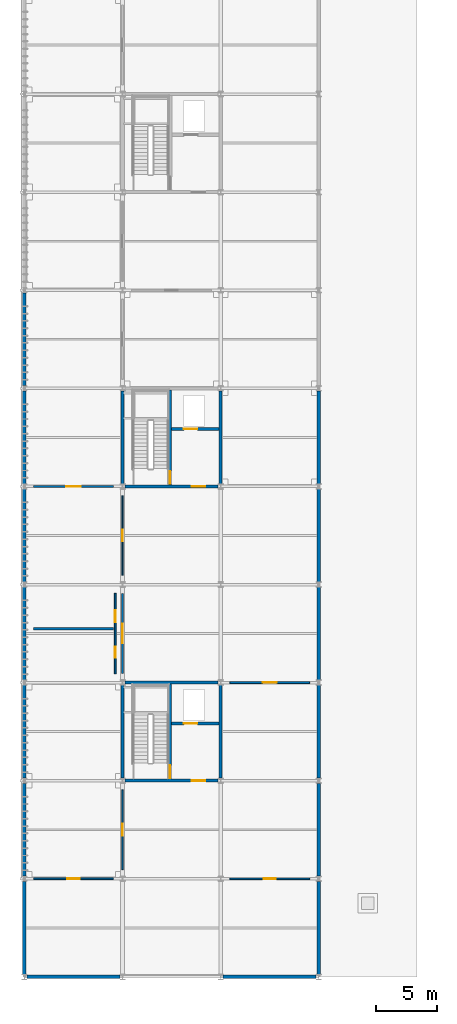
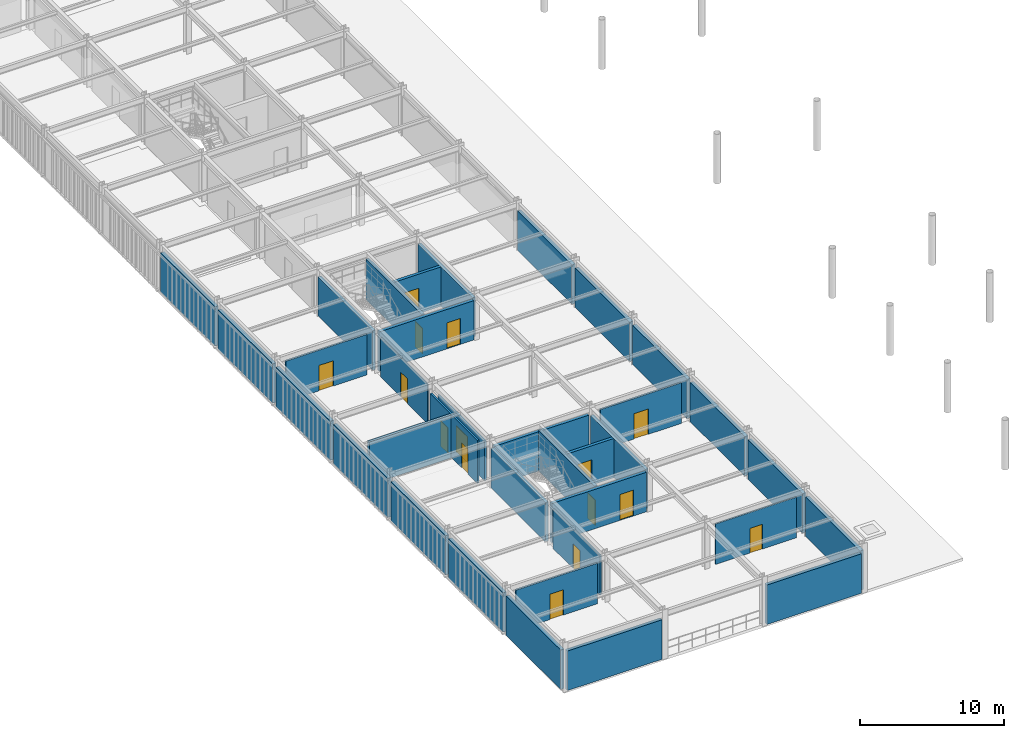
# One storey, part 41 of 54: 35 walls, 15 doors, 15 openings.
"""IFC4 building model written with IfcOpenShell, lengths in metres."""

from ifc_helpers import new_model, si_unit, direction, frame, frame_2d, origin, place, context, subcontext, project, spatial, rectangle, extrude, material, layer, layer_set, type_object, element, fill, save


model = new_model("IFC4")

# Units and contexts
model_context = context("Model", 3, precision=1e-05, world=origin(), true_north=direction((0.0, 1.0)))
body_context = subcontext(model_context, "Body", "Model", "MODEL_VIEW")
ifc_project = project(units=[si_unit("LENGTHUNIT", "METRE"), si_unit("AREAUNIT", "SQUARE_METRE"), si_unit("VOLUMEUNIT", "CUBIC_METRE"), si_unit("PLANEANGLEUNIT", "RADIAN"), si_unit("MASSUNIT", "GRAM", prefix="KILO")], contexts=[model_context])

# Site, building, storey
site_placement = place(None, origin())
site = spatial("IfcSite", under=ifc_project, at=site_placement, CompositionType="ELEMENT")
building_placement = place(site_placement, origin())
building = spatial("IfcBuilding", under=site, at=building_placement, Name="Haebicheon Civic Stadium", CompositionType="ELEMENT")
storey_placement = place(building_placement, frame((0.0, 0.0, 22.800048828125)))
storey = spatial("IfcBuildingStorey", under=building, at=storey_placement, Name="L06", CompositionType="ELEMENT", Elevation=22.800048828125)

# Wall, opening, door
ifc_material_1 = material(Name="Concrete C40/50", Category="concrete")
ifc_layer_1 = layer(ifc_material_1, 0.239990234375, Name="Concrete C40/50")
ifc_layer_set_1 = layer_set([ifc_layer_1], Name="Concrete C40/50")
wall_type_1 = type_object("IfcWallType", Name="CW-SHR-240", PredefinedType="SHEAR", material=ifc_layer_set_1)
wall_1_placement = place(storey_placement, frame((32.2041015625, 56.0, 0.0), z_axis=(0.0, 0.0, 1.0), x_axis=(1.0, 0.0, 0.0)))
wall_1 = element("IfcWall", 1, at=wall_1_placement, inside=storey, type_object=wall_type_1, material=ifc_layer_set_1, Name="KC-02 L06 south core shear wall", PredefinedType="SHEAR", context=body_context, shape_type="SweptSolid", body=[
    extrude(rectangle(XDim=7.591796875, YDim=0.239990234375, at=frame_2d((3.7958984375, 0.0))), origin(), (0.0, 0.0, 1.0), 3.33984375),
])
opening_1_placement = place(wall_1_placement, frame((5.44189453125, 0.0, 0.0)))
opening_1 = element("IfcOpeningElement", 2, at=opening_1_placement, cuts=wall_1, Name="Opening D-L06-KC-02-LOB", PredefinedType="OPENING", context=body_context, shape_type="SweptSolid", body=[
    extrude(rectangle(XDim=1.10009765625, YDim=2.199951171875, at=frame_2d((0.550048828125, 1.10009765625))), frame((0.0, 0.1298828125, 0.0), z_axis=(0.0, -1.0, 0.0), x_axis=(1.0, 0.0, 0.0)), (0.0, 0.0, 1.0), 0.260009765625),
])
ifc_material_2 = material(Name="Galvanised painted steel SM355", Category="steel")
door_type_1 = type_object("IfcDoorType", Name="ID-FD-1100", OperationType="NOTDEFINED", PredefinedType="DOOR", material=ifc_material_2)
door_1_placement = place(opening_1_placement, origin())
door_1 = element("IfcDoor", 3, at=door_1_placement, inside=storey, type_object=door_type_1, material=ifc_material_2, Name="L06 KC-02 lobby fire door", OperationType="SINGLE_SWING_RIGHT", OverallHeight=2.199951171875, OverallWidth=1.10009765625, PredefinedType="DOOR", context=body_context, shape_type="SweptSolid", body=[
    extrude(rectangle(XDim=1.10009765625, YDim=2.199951171875, at=frame_2d((0.550048828125, 1.10009765625))), frame((0.0, 0.02490234375, 0.0), z_axis=(0.0, -1.0, 0.0), x_axis=(1.0, 0.0, 0.0)), (0.0, 0.0, 1.0), 0.050048828125),
])
fill(opening_1, door_1)

# Walls
wall_2_placement = place(storey_placement, frame((32.2041015625, 64.0, 0.0), z_axis=(0.0, 0.0, 1.0), x_axis=(1.0, 0.0, 0.0)))
element("IfcWall", 4, at=wall_2_placement, inside=storey, type_object=wall_type_1, material=ifc_layer_set_1, Name="KC-02 L06 north core shear wall", PredefinedType="SHEAR", context=body_context, shape_type="SweptSolid", body=[
    extrude(rectangle(XDim=7.591796875, YDim=0.239990234375, at=frame_2d((3.7958984375, 0.0))), origin(), (0.0, 0.0, 1.0), 3.33984375),
])
for number, where, z_axis, x_axis, name in (
    (5, (32.0, 56.214111328125, 0.0), (0.0, 0.0, 1.0), (0.0, 1.0, 0.0), "KC-02 L06 west core shear wall"),
    (6, (40.0, 56.214111328125, 0.0), (0.0, 0.0, 1.0), (0.0, 1.0, 0.0), "KC-02 L06 east core shear wall"),
):
    element("IfcWall", number, at=place(storey_placement, frame(where, z_axis=z_axis, x_axis=x_axis)), inside=storey, type_object=wall_type_1, material=ifc_layer_set_1, Name=name, PredefinedType="SHEAR", context=body_context, shape_type="SweptSolid", body=[
        extrude(rectangle(XDim=7.57177734375, YDim=0.239990234375, at=frame_2d((3.785888671875, 0.0))), origin(), (0.0, 0.0, 1.0), 3.33984375),
    ])

# Wall, opening, door
wall_3_placement = place(storey_placement, frame((35.8798828125, 56.1201171875, 0.0), z_axis=(0.0, 0.0, 1.0), x_axis=(0.0, 1.0, 0.0)))
wall_3 = element("IfcWall", 7, at=wall_3_placement, inside=storey, type_object=wall_type_1, material=ifc_layer_set_1, Name="KC-02 L06 stair-lobby dividing shear wall", PredefinedType="SHEAR", context=body_context, shape_type="SweptSolid", body=[
    extrude(rectangle(XDim=7.759765625, YDim=0.239990234375, at=frame_2d((3.8798828125, 0.0))), origin(), (0.0, 0.0, 1.0), 3.43994140625),
])
opening_2_placement = place(wall_3_placement, frame((0.080078125, 0.0, 0.0)))
opening_2 = element("IfcOpeningElement", 8, at=opening_2_placement, cuts=wall_3, Name="Opening D-L06-KC-02-STR", PredefinedType="OPENING", context=body_context, shape_type="SweptSolid", body=[
    extrude(rectangle(XDim=1.050048828125, YDim=2.14990234375, at=frame_2d((0.52490234375, 1.074951171875))), frame((0.0, 0.1298828125, 0.0), z_axis=(0.0, -1.0, 0.0), x_axis=(1.0, 0.0, 0.0)), (0.0, 0.0, 1.0), 0.260009765625),
])
ifc_material_3 = material(Name="Galvanised painted steel SM355", Category="steel")
door_type_2 = type_object("IfcDoorType", Name="ID-FD-1050", OperationType="NOTDEFINED", PredefinedType="DOOR", material=ifc_material_3)
door_2_placement = place(opening_2_placement, origin())
door_2 = element("IfcDoor", 9, at=door_2_placement, inside=storey, type_object=door_type_2, material=ifc_material_3, Name="L06 ST-02 stairwell escape door", OperationType="SINGLE_SWING_LEFT", OverallHeight=2.14990234375, OverallWidth=1.050048828125, PredefinedType="DOOR", context=body_context, shape_type="SweptSolid", body=[
    extrude(rectangle(XDim=1.050048828125, YDim=2.14990234375, at=frame_2d((0.52490234375, 1.074951171875))), frame((0.0, 0.02490234375, 0.0), z_axis=(0.0, -1.0, 0.0), x_axis=(1.0, 0.0, 0.0)), (0.0, 0.0, 1.0), 0.050048828125),
])
fill(opening_2, door_2)

wall_4_placement = place(storey_placement, frame((36.0, 60.679931640625, 0.0), z_axis=(0.0, 0.0, 1.0), x_axis=(1.0, 0.0, 0.0)))
wall_4 = element("IfcWall", 10, at=wall_4_placement, inside=storey, type_object=wall_type_1, material=ifc_layer_set_1, Name="KC-02 L06 lift shaft front wall", PredefinedType="SHEAR", context=body_context, shape_type="SweptSolid", body=[
    extrude(rectangle(XDim=3.8798828125, YDim=0.239990234375, at=frame_2d((1.93994140625, 0.0))), origin(), (0.0, 0.0, 1.0), 3.33984375),
])
opening_3_placement = place(wall_4_placement, frame((1.0, 0.0, 0.0)))
opening_3 = element("IfcOpeningElement", 11, at=opening_3_placement, cuts=wall_4, Name="Opening LD-02-L06", PredefinedType="OPENING", context=body_context, shape_type="SweptSolid", body=[
    extrude(rectangle(XDim=1.10009765625, YDim=2.14990234375, at=frame_2d((0.550048828125, 1.074951171875))), frame((0.0, 0.1298828125, 0.0), z_axis=(0.0, -1.0, 0.0), x_axis=(1.0, 0.0, 0.0)), (0.0, 0.0, 1.0), 0.260009765625),
])
ifc_material_4 = material(Name="Stainless steel 316", Category="steel")
door_type_3 = type_object("IfcDoorType", Name="ID-LD-1100", OperationType="NOTDEFINED", PredefinedType="DOOR", material=ifc_material_4)
door_3_placement = place(opening_3_placement, origin())
door_3 = element("IfcDoor", 12, at=door_3_placement, inside=storey, type_object=door_type_3, material=ifc_material_4, Name="LF-02 lift landing sliding door L06", OperationType="SLIDING_TO_LEFT", OverallHeight=2.14990234375, OverallWidth=1.10009765625, PredefinedType="DOOR", context=body_context, shape_type="SweptSolid", body=[
    extrude(rectangle(XDim=1.10009765625, YDim=2.14990234375, at=frame_2d((0.550048828125, 1.074951171875))), frame((0.0, 0.02490234375, 0.0), z_axis=(0.0, -1.0, 0.0), x_axis=(1.0, 0.0, 0.0)), (0.0, 0.0, 1.0), 0.050048828125),
])
fill(opening_3, door_3)

wall_5_placement = place(storey_placement, frame((32.2041015625, 80.0, 0.0), z_axis=(0.0, 0.0, 1.0), x_axis=(1.0, 0.0, 0.0)))
wall_5 = element("IfcWall", 13, at=wall_5_placement, inside=storey, type_object=wall_type_1, material=ifc_layer_set_1, Name="KC-03 L06 south core shear wall", PredefinedType="SHEAR", context=body_context, shape_type="SweptSolid", body=[
    extrude(rectangle(XDim=7.591796875, YDim=0.239990234375, at=frame_2d((3.7958984375, 0.0))), origin(), (0.0, 0.0, 1.0), 3.33984375),
])
opening_4_placement = place(wall_5_placement, frame((5.44189453125, 0.0, 0.0)))
opening_4 = element("IfcOpeningElement", 14, at=opening_4_placement, cuts=wall_5, Name="Opening D-L06-KC-03-LOB", PredefinedType="OPENING", context=body_context, shape_type="SweptSolid", body=[
    extrude(rectangle(XDim=1.10009765625, YDim=2.199951171875, at=frame_2d((0.550048828125, 1.10009765625))), frame((0.0, 0.1298828125, 0.0), z_axis=(0.0, -1.0, 0.0), x_axis=(1.0, 0.0, 0.0)), (0.0, 0.0, 1.0), 0.260009765625),
])
door_4_placement = place(opening_4_placement, origin())
door_4 = element("IfcDoor", 15, at=door_4_placement, inside=storey, type_object=door_type_1, material=ifc_material_2, Name="L06 KC-03 lobby fire door", OperationType="SINGLE_SWING_RIGHT", OverallHeight=2.199951171875, OverallWidth=1.10009765625, PredefinedType="DOOR", context=body_context, shape_type="SweptSolid", body=[
    extrude(rectangle(XDim=1.10009765625, YDim=2.199951171875, at=frame_2d((0.550048828125, 1.10009765625))), frame((0.0, 0.02490234375, 0.0), z_axis=(0.0, -1.0, 0.0), x_axis=(1.0, 0.0, 0.0)), (0.0, 0.0, 1.0), 0.050048828125),
])
fill(opening_4, door_4)

# Walls
for number, where, z_axis, x_axis, name in (
    (16, (32.0, 80.214111328125, 0.0), (0.0, 0.0, 1.0), (0.0, 1.0, 0.0), "KC-03 L06 west core shear wall"),
    (17, (40.0, 80.214111328125, 0.0), (0.0, 0.0, 1.0), (0.0, 1.0, 0.0), "KC-03 L06 east core shear wall"),
):
    element("IfcWall", number, at=place(storey_placement, frame(where, z_axis=z_axis, x_axis=x_axis)), inside=storey, type_object=wall_type_1, material=ifc_layer_set_1, Name=name, PredefinedType="SHEAR", context=body_context, shape_type="SweptSolid", body=[
        extrude(rectangle(XDim=7.57177734375, YDim=0.239990234375, at=frame_2d((3.785888671875, 0.0))), origin(), (0.0, 0.0, 1.0), 3.33984375),
    ])

# Wall, opening, door
wall_6_placement = place(storey_placement, frame((35.8798828125, 80.1201171875, 0.0), z_axis=(0.0, 0.0, 1.0), x_axis=(0.0, 1.0, 0.0)))
wall_6 = element("IfcWall", 18, at=wall_6_placement, inside=storey, type_object=wall_type_1, material=ifc_layer_set_1, Name="KC-03 L06 stair-lobby dividing shear wall", PredefinedType="SHEAR", context=body_context, shape_type="SweptSolid", body=[
    extrude(rectangle(XDim=7.759765625, YDim=0.239990234375, at=frame_2d((3.8798828125, 0.0))), origin(), (0.0, 0.0, 1.0), 3.43994140625),
])
opening_5_placement = place(wall_6_placement, frame((0.080078125, 0.0, 0.0)))
opening_5 = element("IfcOpeningElement", 19, at=opening_5_placement, cuts=wall_6, Name="Opening D-L06-KC-03-STR", PredefinedType="OPENING", context=body_context, shape_type="SweptSolid", body=[
    extrude(rectangle(XDim=1.050048828125, YDim=2.14990234375, at=frame_2d((0.52490234375, 1.074951171875))), frame((0.0, 0.1298828125, 0.0), z_axis=(0.0, -1.0, 0.0), x_axis=(1.0, 0.0, 0.0)), (0.0, 0.0, 1.0), 0.260009765625),
])
door_5_placement = place(opening_5_placement, origin())
door_5 = element("IfcDoor", 20, at=door_5_placement, inside=storey, type_object=door_type_2, material=ifc_material_3, Name="L06 ST-03 stairwell escape door", OperationType="SINGLE_SWING_LEFT", OverallHeight=2.14990234375, OverallWidth=1.050048828125, PredefinedType="DOOR", context=body_context, shape_type="SweptSolid", body=[
    extrude(rectangle(XDim=1.050048828125, YDim=2.14990234375, at=frame_2d((0.52490234375, 1.074951171875))), frame((0.0, 0.02490234375, 0.0), z_axis=(0.0, -1.0, 0.0), x_axis=(1.0, 0.0, 0.0)), (0.0, 0.0, 1.0), 0.050048828125),
])
fill(opening_5, door_5)

wall_7_placement = place(storey_placement, frame((36.0, 84.679931640625, 0.0), z_axis=(0.0, 0.0, 1.0), x_axis=(1.0, 0.0, 0.0)))
wall_7 = element("IfcWall", 21, at=wall_7_placement, inside=storey, type_object=wall_type_1, material=ifc_layer_set_1, Name="KC-03 L06 lift shaft front wall", PredefinedType="SHEAR", context=body_context, shape_type="SweptSolid", body=[
    extrude(rectangle(XDim=3.8798828125, YDim=0.239990234375, at=frame_2d((1.93994140625, 0.0))), origin(), (0.0, 0.0, 1.0), 3.33984375),
])
opening_6_placement = place(wall_7_placement, frame((1.0, 0.0, 0.0)))
opening_6 = element("IfcOpeningElement", 22, at=opening_6_placement, cuts=wall_7, Name="Opening LD-03-L06", PredefinedType="OPENING", context=body_context, shape_type="SweptSolid", body=[
    extrude(rectangle(XDim=1.10009765625, YDim=2.14990234375, at=frame_2d((0.550048828125, 1.074951171875))), frame((0.0, 0.1298828125, 0.0), z_axis=(0.0, -1.0, 0.0), x_axis=(1.0, 0.0, 0.0)), (0.0, 0.0, 1.0), 0.260009765625),
])
door_6_placement = place(opening_6_placement, origin())
door_6 = element("IfcDoor", 23, at=door_6_placement, inside=storey, type_object=door_type_3, material=ifc_material_4, Name="LF-03 lift landing sliding door L06", OperationType="SLIDING_TO_LEFT", OverallHeight=2.14990234375, OverallWidth=1.10009765625, PredefinedType="DOOR", context=body_context, shape_type="SweptSolid", body=[
    extrude(rectangle(XDim=1.10009765625, YDim=2.14990234375, at=frame_2d((0.550048828125, 1.074951171875))), frame((0.0, 0.02490234375, 0.0), z_axis=(0.0, -1.0, 0.0), x_axis=(1.0, 0.0, 0.0)), (0.0, 0.0, 1.0), 0.050048828125),
])
fill(opening_6, door_6)

# Walls
ifc_material_5 = material(Name="Precast concrete C40/50", Category="concrete")
ifc_layer_2 = layer(ifc_material_5, 0.280029296875, Name="Precast concrete C40/50")
ifc_layer_set_2 = layer_set([ifc_layer_2], Name="Precast concrete C40/50")
wall_type_2 = type_object("IfcWallType", Name="EW-BM-280", PredefinedType="SOLIDWALL", material=ifc_layer_set_2)
wall_8_placement = place(storey_placement, frame((24.2041015625, 40.0, 0.0), z_axis=(0.0, 0.0, 1.0), x_axis=(1.0, 0.0, 0.0)))
element("IfcWall", 24, at=wall_8_placement, inside=storey, type_object=wall_type_2, material=ifc_layer_set_2, Name="L06 board-marked concrete facade wall 03-05-S", PredefinedType="SOLIDWALL", context=body_context, shape_type="SweptSolid", body=[
    extrude(rectangle(XDim=7.591796875, YDim=0.280029296875, at=frame_2d((3.7958984375, 0.0))), origin(), (0.0, 0.0, 1.0), 3.349853515625),
])
for number, where, z_axis, x_axis, name in (
    (25, (24.0, 40.214111328125, 0.0), (0.0, 0.0, 1.0), (0.0, 1.0, 0.0), "L06 board-marked concrete facade wall 03-05-W"),
    (26, (24.0, 48.214111328125, 0.0), (0.0, 0.0, 1.0), (0.0, 1.0, 0.0), "L06 board-marked concrete facade wall 03-06-W"),
    (27, (24.0, 56.214111328125, 0.0), (0.0, 0.0, 1.0), (0.0, 1.0, 0.0), "L06 board-marked concrete facade wall 03-07-W"),
    (28, (24.0, 64.214111328125, 0.0), (0.0, 0.0, 1.0), (0.0, 1.0, 0.0), "L06 board-marked concrete facade wall 03-08-W"),
    (29, (24.0, 72.214111328125, 0.0), (0.0, 0.0, 1.0), (0.0, 1.0, 0.0), "L06 board-marked concrete facade wall 03-09-W"),
    (30, (24.0, 80.214111328125, 0.0), (0.0, 0.0, 1.0), (0.0, 1.0, 0.0), "L06 board-marked concrete facade wall 03-10-W"),
    (31, (24.0, 88.214111328125, 0.0), (0.0, 0.0, 1.0), (0.0, 1.0, 0.0), "L06 board-marked concrete facade wall 03-11-W"),
):
    element("IfcWall", number, at=place(storey_placement, frame(where, z_axis=z_axis, x_axis=x_axis)), inside=storey, type_object=wall_type_2, material=ifc_layer_set_2, Name=name, PredefinedType="SOLIDWALL", context=body_context, shape_type="SweptSolid", body=[
        extrude(rectangle(XDim=7.57177734375, YDim=0.280029296875, at=frame_2d((3.785888671875, 0.0))), origin(), (0.0, 0.0, 1.0), 3.33984375),
    ])
wall_9_placement = place(storey_placement, frame((40.2041015625, 40.0, 0.0), z_axis=(0.0, 0.0, 1.0), x_axis=(1.0, 0.0, 0.0)))
element("IfcWall", 32, at=wall_9_placement, inside=storey, type_object=wall_type_2, material=ifc_layer_set_2, Name="L06 board-marked concrete facade wall 05-05-S", PredefinedType="SOLIDWALL", context=body_context, shape_type="SweptSolid", body=[
    extrude(rectangle(XDim=7.591796875, YDim=0.280029296875, at=frame_2d((3.7958984375, 0.0))), origin(), (0.0, 0.0, 1.0), 3.349853515625),
])
for number, where, z_axis, x_axis, name in (
    (33, (48.0, 40.214111328125, 0.0), (0.0, 0.0, 1.0), (0.0, 1.0, 0.0), "L06 board-marked concrete facade wall 06-05-E"),
    (34, (48.0, 48.214111328125, 0.0), (0.0, 0.0, 1.0), (0.0, 1.0, 0.0), "L06 board-marked concrete facade wall 06-06-E"),
    (35, (48.0, 56.214111328125, 0.0), (0.0, 0.0, 1.0), (0.0, 1.0, 0.0), "L06 board-marked concrete facade wall 06-07-E"),
    (36, (48.0, 64.214111328125, 0.0), (0.0, 0.0, 1.0), (0.0, 1.0, 0.0), "L06 board-marked concrete facade wall 06-08-E"),
    (37, (48.0, 72.214111328125, 0.0), (0.0, 0.0, 1.0), (0.0, 1.0, 0.0), "L06 board-marked concrete facade wall 06-09-E"),
    (38, (48.0, 80.214111328125, 0.0), (0.0, 0.0, 1.0), (0.0, 1.0, 0.0), "L06 board-marked concrete facade wall 06-10-E"),
):
    element("IfcWall", number, at=place(storey_placement, frame(where, z_axis=z_axis, x_axis=x_axis)), inside=storey, type_object=wall_type_2, material=ifc_layer_set_2, Name=name, PredefinedType="SOLIDWALL", context=body_context, shape_type="SweptSolid", body=[
        extrude(rectangle(XDim=7.57177734375, YDim=0.280029296875, at=frame_2d((3.785888671875, 0.0))), origin(), (0.0, 0.0, 1.0), 3.33984375),
    ])
ifc_material_6 = material(Name="Concrete C35/45", Category="concrete")
ifc_layer_3 = layer(ifc_material_6, 0.219970703125, Name="Concrete C35/45")
ifc_layer_set_3 = layer_set([ifc_layer_3], Name="Concrete C35/45")
wall_type_3 = type_object("IfcWallType", Name="IW-PLB-220", PredefinedType="PLUMBINGWALL", material=ifc_layer_set_3)
wall_10_placement = place(storey_placement, frame((24.719970703125, 68.39990234375, 0.0), z_axis=(0.0, 0.0, 1.0), x_axis=(1.0, 0.0, 0.0)))
element("IfcWall", 39, at=wall_10_placement, inside=storey, type_object=wall_type_3, material=ifc_layer_set_3, Name="L06 sanitary plumbing chase wall 19", PredefinedType="PLUMBINGWALL", context=body_context, shape_type="SweptSolid", body=[
    extrude(rectangle(XDim=6.56005859375, YDim=0.219970703125, at=frame_2d((3.280029296875, 0.0))), origin(), (0.0, 0.0, 1.0), 3.639892578125),
])

# Wall, opening, door
ifc_material_7 = material(Name="Anodised aluminium and laminated glass", Category="aluminium")
ifc_layer_4 = layer(ifc_material_7, 0.10009765625, Name="Anodised aluminium and laminated glass")
ifc_layer_set_4 = layer_set([ifc_layer_4], Name="Anodised aluminium and laminated glass")
wall_type_4 = type_object("IfcWallType", Name="IW-PRT-100", PredefinedType="PARTITIONING", material=ifc_layer_set_4)
wall_11_placement = place(storey_placement, frame((32.0, 72.75, 0.0), z_axis=(0.0, 0.0, 1.0), x_axis=(0.0, 1.0, 0.0)))
wall_11 = element("IfcWall", 40, at=wall_11_placement, inside=storey, type_object=wall_type_4, material=ifc_layer_set_4, Name="L06 Event Security Command Room partition wall", PredefinedType="PARTITIONING", context=body_context, shape_type="SweptSolid", body=[
    extrude(rectangle(XDim=6.5, YDim=0.10009765625, at=frame_2d((3.25, 0.0))), origin(), (0.0, 0.0, 1.0), 3.33984375),
])
opening_7_placement = place(wall_11_placement, frame((2.77490234375, 0.0, 0.0)))
opening_7 = element("IfcOpeningElement", 41, at=opening_7_placement, cuts=wall_11, Name="Opening D-L06-449", PredefinedType="OPENING", context=body_context, shape_type="SweptSolid", body=[
    extrude(rectangle(XDim=0.949951171875, YDim=2.10009765625, at=frame_2d((0.47509765625, 1.050048828125))), frame((0.0, 0.06005859375, 0.0), z_axis=(0.0, -1.0, 0.0), x_axis=(1.0, 0.0, 0.0)), (0.0, 0.0, 1.0), 0.1201171875),
])
ifc_material_8 = material(Name="Engineered hardwood timber", Category="wood")
door_type_4 = type_object("IfcDoorType", Name="ID-RM-0950", OperationType="NOTDEFINED", PredefinedType="DOOR", material=ifc_material_8)
door_7_placement = place(opening_7_placement, origin())
door_7 = element("IfcDoor", 42, at=door_7_placement, inside=storey, type_object=door_type_4, material=ifc_material_8, Name="L06 Event Security Command Room entrance door D-L06-449", OperationType="SINGLE_SWING_RIGHT", OverallHeight=2.10009765625, OverallWidth=0.949951171875, PredefinedType="DOOR", context=body_context, shape_type="SweptSolid", body=[
    extrude(rectangle(XDim=0.949951171875, YDim=2.10009765625, at=frame_2d((0.47509765625, 1.050048828125))), frame((0.0, 0.02490234375, 0.0), z_axis=(0.0, -1.0, 0.0), x_axis=(1.0, 0.0, 0.0)), (0.0, 0.0, 1.0), 0.050048828125),
])
fill(opening_7, door_7)

ifc_material_9 = material(Name="Gypsum plasterboard on steel studs", Category="gypsum")
ifc_layer_5 = layer(ifc_material_9, 0.1201171875, Name="Gypsum plasterboard on steel studs")
ifc_layer_set_5 = layer_set([ifc_layer_5], Name="Gypsum plasterboard on steel studs")
wall_type_5 = type_object("IfcWallType", Name="IW-PRT-120", PredefinedType="PARTITIONING", material=ifc_layer_set_5)
wall_12_placement = place(storey_placement, frame((40.75, 48.0, 0.0), z_axis=(0.0, 0.0, 1.0), x_axis=(1.0, 0.0, 0.0)))
wall_12 = element("IfcWall", 43, at=wall_12_placement, inside=storey, type_object=wall_type_5, material=ifc_layer_set_5, Name="L06 Event Security Command Room partition wall", PredefinedType="PARTITIONING", context=body_context, shape_type="SweptSolid", body=[
    extrude(rectangle(XDim=6.5, YDim=0.1201171875, at=frame_2d((3.25, 0.0))), origin(), (0.0, 0.0, 1.0), 3.43994140625),
])
opening_8_placement = place(wall_12_placement, frame((2.75, 0.0, 0.0)))
opening_8 = element("IfcOpeningElement", 44, at=opening_8_placement, cuts=wall_12, Name="Opening D-L06-454", PredefinedType="OPENING", context=body_context, shape_type="SweptSolid", body=[
    extrude(rectangle(XDim=1.0, YDim=2.10009765625, at=frame_2d((0.5, 1.050048828125))), frame((0.0, 0.070068359375, 0.0), z_axis=(0.0, -1.0, 0.0), x_axis=(1.0, 0.0, 0.0)), (0.0, 0.0, 1.0), 0.14013671875),
])
ifc_material_10 = material(Name="Engineered hardwood timber", Category="wood")
door_type_5 = type_object("IfcDoorType", Name="ID-RM-1000", OperationType="NOTDEFINED", PredefinedType="DOOR", material=ifc_material_10)
door_8_placement = place(opening_8_placement, origin())
door_8 = element("IfcDoor", 45, at=door_8_placement, inside=storey, type_object=door_type_5, material=ifc_material_10, Name="L06 Event Security Command Room entrance door D-L06-454", OperationType="SINGLE_SWING_LEFT", OverallHeight=2.10009765625, OverallWidth=1.0, PredefinedType="DOOR", context=body_context, shape_type="SweptSolid", body=[
    extrude(rectangle(XDim=1.0, YDim=2.10009765625, at=frame_2d((0.5, 1.050048828125))), frame((0.0, 0.02490234375, 0.0), z_axis=(0.0, -1.0, 0.0), x_axis=(1.0, 0.0, 0.0)), (0.0, 0.0, 1.0), 0.050048828125),
])
fill(opening_8, door_8)

ifc_material_11 = material(Name="Gypsum plasterboard on steel studs", Category="gypsum")
ifc_layer_6 = layer(ifc_material_11, 0.1298828125, Name="Gypsum plasterboard on steel studs")
ifc_layer_set_6 = layer_set([ifc_layer_6], Name="Gypsum plasterboard on steel studs")
wall_type_6 = type_object("IfcWallType", Name="IW-PRT-130", PredefinedType="PARTITIONING", material=ifc_layer_set_6)
wall_13_placement = place(storey_placement, frame((32.0, 48.75, 0.0), z_axis=(0.0, 0.0, 1.0), x_axis=(0.0, 1.0, 0.0)))
wall_13 = element("IfcWall", 46, at=wall_13_placement, inside=storey, type_object=wall_type_6, material=ifc_layer_set_6, Name="L06 Stadium Operations Control Centre partition wall", PredefinedType="PARTITIONING", context=body_context, shape_type="SweptSolid", body=[
    extrude(rectangle(XDim=6.5, YDim=0.1298828125, at=frame_2d((3.25, 0.0))), origin(), (0.0, 0.0, 1.0), 3.33984375),
])
opening_9_placement = place(wall_13_placement, frame((2.75, 0.0, 0.0)))
opening_9 = element("IfcOpeningElement", 47, at=opening_9_placement, cuts=wall_13, Name="Opening D-L06-448", PredefinedType="OPENING", context=body_context, shape_type="SweptSolid", body=[
    extrude(rectangle(XDim=1.0, YDim=2.10009765625, at=frame_2d((0.5, 1.050048828125))), frame((0.0, 0.074951171875, 0.0), z_axis=(0.0, -1.0, 0.0), x_axis=(1.0, 0.0, 0.0)), (0.0, 0.0, 1.0), 0.14990234375),
])
door_9_placement = place(opening_9_placement, origin())
door_9 = element("IfcDoor", 48, at=door_9_placement, inside=storey, type_object=door_type_5, material=ifc_material_10, Name="L06 Stadium Operations Control Centre entrance door D-L06-448", OperationType="SINGLE_SWING_LEFT", OverallHeight=2.10009765625, OverallWidth=1.0, PredefinedType="DOOR", context=body_context, shape_type="SweptSolid", body=[
    extrude(rectangle(XDim=1.0, YDim=2.10009765625, at=frame_2d((0.5, 1.050048828125))), frame((0.0, 0.02490234375, 0.0), z_axis=(0.0, -1.0, 0.0), x_axis=(1.0, 0.0, 0.0)), (0.0, 0.0, 1.0), 0.050048828125),
])
fill(opening_9, door_9)

# Wall, openings, doors
ifc_material_12 = material(Name="Gypsum plasterboard on steel studs", Category="gypsum")
ifc_layer_7 = layer(ifc_material_12, 0.14990234375, Name="Gypsum plasterboard on steel studs")
ifc_layer_set_7 = layer_set([ifc_layer_7], Name="Gypsum plasterboard on steel studs")
wall_type_7 = type_object("IfcWallType", Name="IW-PRT-150", PredefinedType="PARTITIONING", material=ifc_layer_set_7)
wall_14_placement = place(storey_placement, frame((31.39990234375, 64.719970703125, 0.0), z_axis=(0.0, 0.0, 1.0), x_axis=(0.0, 1.0, 0.0)))
wall_14 = element("IfcWall", 49, at=wall_14_placement, inside=storey, type_object=wall_type_7, material=ifc_layer_set_7, Name="L06 sanitary enclosure front wall 19", PredefinedType="PARTITIONING", context=body_context, shape_type="SweptSolid", body=[
    extrude(rectangle(XDim=6.56005859375, YDim=0.14990234375, at=frame_2d((3.280029296875, 0.0))), origin(), (0.0, 0.0, 1.0), 3.639892578125),
])
opening_10_placement = place(wall_14_placement, frame((1.300048828125, 0.0, 0.0)))
opening_10 = element("IfcOpeningElement", 50, at=opening_10_placement, cuts=wall_14, Name="Opening D-L06-WC-19A", PredefinedType="OPENING", context=body_context, shape_type="SweptSolid", body=[
    extrude(rectangle(XDim=0.89990234375, YDim=2.10009765625, at=frame_2d((0.449951171875, 1.050048828125))), frame((0.0, 0.0849609375, 0.0), z_axis=(0.0, -1.0, 0.0), x_axis=(1.0, 0.0, 0.0)), (0.0, 0.0, 1.0), 0.169921875),
])
opening_11_placement = place(wall_14_placement, frame((4.199951171875, 0.0, 0.0)))
opening_11 = element("IfcOpeningElement", 51, at=opening_11_placement, cuts=wall_14, Name="Opening D-L06-AWC-19B", PredefinedType="OPENING", context=body_context, shape_type="SweptSolid", body=[
    extrude(rectangle(XDim=1.0, YDim=2.14990234375, at=frame_2d((0.5, 1.074951171875))), frame((0.0, 0.0849609375, 0.0), z_axis=(0.0, -1.0, 0.0), x_axis=(1.0, 0.0, 0.0)), (0.0, 0.0, 1.0), 0.169921875),
])
ifc_material_13 = material(Name="Anodised aluminium 6063-T6", Category="aluminium")
door_type_6 = type_object("IfcDoorType", Name="ID-AWC-1000", OperationType="NOTDEFINED", PredefinedType="DOOR", material=ifc_material_13)
door_10_placement = place(opening_11_placement, origin())
door_10 = element("IfcDoor", 52, at=door_10_placement, inside=storey, type_object=door_type_6, material=ifc_material_13, Name="L06 accessible WC door 19", OperationType="SINGLE_SWING_LEFT", OverallHeight=2.14990234375, OverallWidth=1.0, PredefinedType="DOOR", context=body_context, shape_type="SweptSolid", body=[
    extrude(rectangle(XDim=1.0, YDim=2.14990234375, at=frame_2d((0.5, 1.074951171875))), frame((0.0, 0.02490234375, 0.0), z_axis=(0.0, -1.0, 0.0), x_axis=(1.0, 0.0, 0.0)), (0.0, 0.0, 1.0), 0.050048828125),
])
fill(opening_11, door_10)
ifc_material_14 = material(Name="Anodised aluminium 6063-T6", Category="aluminium")
door_type_7 = type_object("IfcDoorType", Name="ID-WC-0900", OperationType="NOTDEFINED", PredefinedType="DOOR", material=ifc_material_14)
door_11_placement = place(opening_10_placement, origin())
door_11 = element("IfcDoor", 53, at=door_11_placement, inside=storey, type_object=door_type_7, material=ifc_material_14, Name="L06 public restroom door 19", OperationType="SINGLE_SWING_RIGHT", OverallHeight=2.10009765625, OverallWidth=0.89990234375, PredefinedType="DOOR", context=body_context, shape_type="SweptSolid", body=[
    extrude(rectangle(XDim=0.89990234375, YDim=2.10009765625, at=frame_2d((0.449951171875, 1.050048828125))), frame((0.0, 0.02490234375, 0.0), z_axis=(0.0, -1.0, 0.0), x_axis=(1.0, 0.0, 0.0)), (0.0, 0.0, 1.0), 0.050048828125),
])
fill(opening_10, door_11)

# Wall, opening, door
wall_15_placement = place(storey_placement, frame((24.75, 48.0, 0.0), z_axis=(0.0, 0.0, 1.0), x_axis=(1.0, 0.0, 0.0)))
wall_15 = element("IfcWall", 54, at=wall_15_placement, inside=storey, type_object=wall_type_7, material=ifc_layer_set_7, Name="L06 Sky-Box Hospitality Suite partition wall", PredefinedType="PARTITIONING", context=body_context, shape_type="SweptSolid", body=[
    extrude(rectangle(XDim=6.5, YDim=0.14990234375, at=frame_2d((3.25, 0.0))), origin(), (0.0, 0.0, 1.0), 3.43994140625),
])
opening_12_placement = place(wall_15_placement, frame((2.72509765625, 0.0, 0.0)))
opening_12 = element("IfcOpeningElement", 55, at=opening_12_placement, cuts=wall_15, Name="Opening D-L06-447", PredefinedType="OPENING", context=body_context, shape_type="SweptSolid", body=[
    extrude(rectangle(XDim=1.050048828125, YDim=2.14990234375, at=frame_2d((0.52490234375, 1.074951171875))), frame((0.0, 0.0849609375, 0.0), z_axis=(0.0, -1.0, 0.0), x_axis=(1.0, 0.0, 0.0)), (0.0, 0.0, 1.0), 0.169921875),
])
ifc_material_15 = material(Name="Engineered hardwood timber", Category="wood")
door_type_8 = type_object("IfcDoorType", Name="ID-RM-1050", OperationType="NOTDEFINED", PredefinedType="DOOR", material=ifc_material_15)
door_12_placement = place(opening_12_placement, origin())
door_12 = element("IfcDoor", 56, at=door_12_placement, inside=storey, type_object=door_type_8, material=ifc_material_15, Name="L06 Sky-Box Hospitality Suite entrance door D-L06-447", OperationType="SINGLE_SWING_RIGHT", OverallHeight=2.14990234375, OverallWidth=1.050048828125, PredefinedType="DOOR", context=body_context, shape_type="SweptSolid", body=[
    extrude(rectangle(XDim=1.050048828125, YDim=2.14990234375, at=frame_2d((0.52490234375, 1.074951171875))), frame((0.0, 0.02490234375, 0.0), z_axis=(0.0, -1.0, 0.0), x_axis=(1.0, 0.0, 0.0)), (0.0, 0.0, 1.0), 0.050048828125),
])
fill(opening_12, door_12)

wall_16_placement = place(storey_placement, frame((24.75, 80.0, 0.0), z_axis=(0.0, 0.0, 1.0), x_axis=(1.0, 0.0, 0.0)))
wall_16 = element("IfcWall", 57, at=wall_16_placement, inside=storey, type_object=wall_type_7, material=ifc_layer_set_7, Name="L06 Public Address and Lighting Control Studio partition wall", PredefinedType="PARTITIONING", context=body_context, shape_type="SweptSolid", body=[
    extrude(rectangle(XDim=6.5, YDim=0.14990234375, at=frame_2d((3.25, 0.0))), origin(), (0.0, 0.0, 1.0), 3.43994140625),
])
opening_13_placement = place(wall_16_placement, frame((2.675048828125, 0.0, 0.0)))
opening_13 = element("IfcOpeningElement", 58, at=opening_13_placement, cuts=wall_16, Name="Opening D-L06-450", PredefinedType="OPENING", context=body_context, shape_type="SweptSolid", body=[
    extrude(rectangle(XDim=1.14990234375, YDim=2.14990234375, at=frame_2d((0.574951171875, 1.074951171875))), frame((0.0, 0.0849609375, 0.0), z_axis=(0.0, -1.0, 0.0), x_axis=(1.0, 0.0, 0.0)), (0.0, 0.0, 1.0), 0.169921875),
])
ifc_material_16 = material(Name="Engineered hardwood timber", Category="wood")
door_type_9 = type_object("IfcDoorType", Name="ID-RM-1150", OperationType="NOTDEFINED", PredefinedType="DOOR", material=ifc_material_16)
door_13_placement = place(opening_13_placement, origin())
door_13 = element("IfcDoor", 59, at=door_13_placement, inside=storey, type_object=door_type_9, material=ifc_material_16, Name="L06 Public Address and Lighting Control Studio entrance door D-L06-450", OperationType="SINGLE_SWING_LEFT", OverallHeight=2.14990234375, OverallWidth=1.14990234375, PredefinedType="DOOR", context=body_context, shape_type="SweptSolid", body=[
    extrude(rectangle(XDim=1.14990234375, YDim=2.14990234375, at=frame_2d((0.574951171875, 1.074951171875))), frame((0.0, 0.02490234375, 0.0), z_axis=(0.0, -1.0, 0.0), x_axis=(1.0, 0.0, 0.0)), (0.0, 0.0, 1.0), 0.050048828125),
])
fill(opening_13, door_13)

wall_17_placement = place(storey_placement, frame((40.75, 64.0, 0.0), z_axis=(0.0, 0.0, 1.0), x_axis=(1.0, 0.0, 0.0)))
wall_17 = element("IfcWall", 60, at=wall_17_placement, inside=storey, type_object=wall_type_7, material=ifc_layer_set_7, Name="L06 Public Address and Lighting Control Studio partition wall", PredefinedType="PARTITIONING", context=body_context, shape_type="SweptSolid", body=[
    extrude(rectangle(XDim=6.5, YDim=0.14990234375, at=frame_2d((3.25, 0.0))), origin(), (0.0, 0.0, 1.0), 3.43994140625),
])
opening_14_placement = place(wall_17_placement, frame((2.675048828125, 0.0, 0.0)))
opening_14 = element("IfcOpeningElement", 61, at=opening_14_placement, cuts=wall_17, Name="Opening D-L06-455", PredefinedType="OPENING", context=body_context, shape_type="SweptSolid", body=[
    extrude(rectangle(XDim=1.14990234375, YDim=2.14990234375, at=frame_2d((0.574951171875, 1.074951171875))), frame((0.0, 0.0849609375, 0.0), z_axis=(0.0, -1.0, 0.0), x_axis=(1.0, 0.0, 0.0)), (0.0, 0.0, 1.0), 0.169921875),
])
door_14_placement = place(opening_14_placement, origin())
door_14 = element("IfcDoor", 62, at=door_14_placement, inside=storey, type_object=door_type_9, material=ifc_material_16, Name="L06 Public Address and Lighting Control Studio entrance door D-L06-455", OperationType="SINGLE_SWING_RIGHT", OverallHeight=2.14990234375, OverallWidth=1.14990234375, PredefinedType="DOOR", context=body_context, shape_type="SweptSolid", body=[
    extrude(rectangle(XDim=1.14990234375, YDim=2.14990234375, at=frame_2d((0.574951171875, 1.074951171875))), frame((0.0, 0.02490234375, 0.0), z_axis=(0.0, -1.0, 0.0), x_axis=(1.0, 0.0, 0.0)), (0.0, 0.0, 1.0), 0.050048828125),
])
fill(opening_14, door_14)

wall_18_placement = place(storey_placement, frame((32.0, 64.75, 0.0), z_axis=(0.0, 0.0, 1.0), x_axis=(0.0, 1.0, 0.0)))
wall_18 = element("IfcWall", 63, at=wall_18_placement, inside=storey, type_object=wall_type_7, material=ifc_layer_set_7, Name="L06 Sky-Box Dining Lounge partition wall", PredefinedType="PARTITIONING", context=body_context, shape_type="SweptSolid", body=[
    extrude(rectangle(XDim=6.5, YDim=0.14990234375, at=frame_2d((3.25, 0.0))), origin(), (0.0, 0.0, 1.0), 3.33984375),
])
opening_15_placement = place(wall_18_placement, frame((2.449951171875, 0.0, 0.0)))
opening_15 = element("IfcOpeningElement", 64, at=opening_15_placement, cuts=wall_18, Name="Opening D-L06-456", PredefinedType="OPENING", context=body_context, shape_type="SweptSolid", body=[
    extrude(rectangle(XDim=1.60009765625, YDim=2.199951171875, at=frame_2d((0.800048828125, 1.10009765625))), frame((0.0, 0.0849609375, 0.0), z_axis=(0.0, -1.0, 0.0), x_axis=(1.0, 0.0, 0.0)), (0.0, 0.0, 1.0), 0.169921875),
])
ifc_material_17 = material(Name="Anodised aluminium and laminated glass", Category="aluminium")
door_type_10 = type_object("IfcDoorType", Name="ID-DBL-1600", OperationType="NOTDEFINED", PredefinedType="DOOR", material=ifc_material_17)
door_15_placement = place(opening_15_placement, origin())
door_15 = element("IfcDoor", 65, at=door_15_placement, inside=storey, type_object=door_type_10, material=ifc_material_17, Name="L06 Sky-Box Dining Lounge entrance door D-L06-456", OperationType="DOUBLE_SWING_LEFT", OverallHeight=2.199951171875, OverallWidth=1.60009765625, PredefinedType="DOOR", context=body_context, shape_type="SweptSolid", body=[
    extrude(rectangle(XDim=1.60009765625, YDim=2.199951171875, at=frame_2d((0.800048828125, 1.10009765625))), frame((0.0, 0.02490234375, 0.0), z_axis=(0.0, -1.0, 0.0), x_axis=(1.0, 0.0, 0.0)), (0.0, 0.0, 1.0), 0.050048828125),
])
fill(opening_15, door_15)

save(model, "model.ifc")
